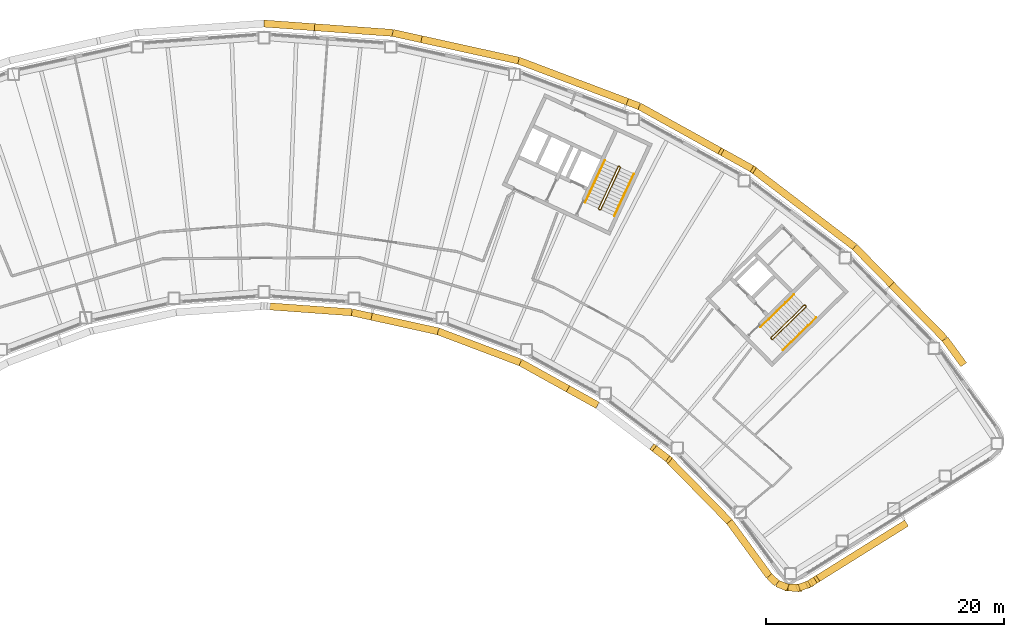
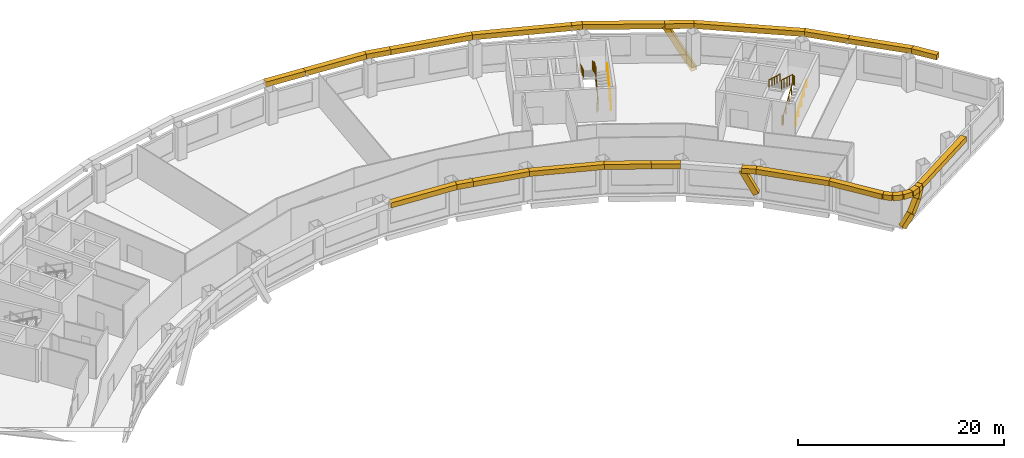
# One storey, part 12 of 13: 32 coverings, 6 railings.
"""IFC4 building model written with IfcOpenShell, lengths in metres."""

from ifc_helpers import new_model, si_unit, direction, frame, origin, origin_2d, place, context, subcontext, project, spatial, rectangle, circle, extrude, material, material_profile, profile_set, type_object, element, save


model = new_model("IFC4")

# Units and contexts
model_context = context("Model", 3, precision=1e-05, world=origin(), true_north=direction((0.0, 1.0)))
body_context = subcontext(model_context, "Body", "Model", "MODEL_VIEW")
ifc_project = project(units=[si_unit("LENGTHUNIT", "METRE"), si_unit("AREAUNIT", "SQUARE_METRE"), si_unit("VOLUMEUNIT", "CUBIC_METRE"), si_unit("PLANEANGLEUNIT", "RADIAN"), si_unit("MASSUNIT", "GRAM", prefix="KILO")], contexts=[model_context])

# Site, building, storey
site_placement = place(None, origin())
site = spatial("IfcSite", under=ifc_project, at=site_placement, CompositionType="ELEMENT")
building_placement = place(site_placement, origin())
building = spatial("IfcBuilding", under=site, at=building_placement, Name="Tuul Gate Civic Tower", CompositionType="ELEMENT")
storey_placement = place(building_placement, frame((0.0, 0.0, 150.800048828125)))
storey = spatial("IfcBuildingStorey", under=building, at=storey_placement, Name="Level 34", CompositionType="ELEMENT", Elevation=150.800048828125)

# Railings
ifc_material_1 = material(Name="Painted steel", Category="steel")
railing_type_1 = type_object("IfcRailingType", Name="Stair guard", PredefinedType="GUARDRAIL", material=ifc_material_1)
railing_1_placement = place(storey_placement, frame((48.10546875, -16.134765625, 0.0)))
element("IfcRailing", 1, at=railing_1_placement, inside=storey, type_object=railing_type_1, Name="Level 34 ST-3 stair guard 1", PredefinedType="GUARDRAIL", context=body_context, shape_type="SweptSolid", body=[
    extrude(circle(Radius=0.02392578125, at=origin_2d()), frame((0.0, 0.0, 1.076171875), z_axis=(-0.698506948293, 0.715603272202, 0.0), x_axis=(-0.715603272202, -0.698506948293, 0.0)), (0.0, 0.0, 1.0), 0.099853515625),
    extrude(circle(Radius=0.02392578125, at=origin_2d()), frame((-0.06982421875, 0.071533203125, 1.076171875), z_axis=(0.645446321009, -0.331687692741, 0.688027849131), x_axis=(0.457068866502, 0.889431307788, 0.0)), (0.0, 0.0, 1.0), 0.2177734375),
    extrude(circle(Radius=0.02392578125, at=origin_2d()), frame((0.07080078125, -0.000732421875, 1.22607421875), z_axis=(0.638731261263, 0.626133563701, 0.447190268558), x_axis=(-0.700029477518, 0.714113947914, 0.0)), (0.0, 0.0, 1.0), 4.3603515625),
    extrude(circle(Radius=0.02392578125, at=origin_2d()), frame((2.85595703125, 2.7294921875, 3.17578125), z_axis=(0.010380063588, 0.999946125689, 0.0), x_axis=(-0.999946125689, 0.010380063588, 0.0)), (0.0, 0.0, 1.0), 0.070556640625),
    extrude(circle(Radius=0.02392578125, at=origin_2d()), frame((2.856689453125, 2.800048828125, 3.17578125), z_axis=(-0.699754442181, 0.714383454909, 0.0), x_axis=(-0.714383454909, -0.699754442181, 0.0)), (0.0, 0.0, 1.0), 0.10009765625),
    extrude(circle(Radius=0.02392578125, at=origin_2d()), frame((2.78662109375, 2.87158203125, 3.17578125), z_axis=(-0.426501027327, 0.004412079593, 0.904476316574), x_axis=(-0.010344274102, -0.999946496565, 0.0)), (0.0, 0.0, 1.0), 0.166015625),
    extrude(circle(Radius=0.02392578125, at=origin_2d()), frame((2.7158203125, 2.872314453125, 3.326171875), z_axis=(-0.638731261263, -0.626133563701, 0.447190268558), x_axis=(0.700029477518, -0.714113947914, 0.0)), (0.0, 0.0, 1.0), 4.3603515625),
    extrude(circle(Radius=0.02099609375, at=origin_2d()), origin(), (0.0, 0.0, 1.0), 1.052001953125),
    extrude(circle(Radius=0.02099609375, at=origin_2d()), frame((-0.06982421875, 0.071533203125, 0.0)), (0.0, 0.0, 1.0), 1.052001953125),
    extrude(circle(Radius=0.02099609375, at=origin_2d()), frame((0.07080078125, -0.000732421875, 0.14990234375)), (0.0, 0.0, 1.0), 1.052001953125),
    extrude(circle(Radius=0.02099609375, at=origin_2d()), frame((0.76708984375, 0.681884765625, 0.637451171875)), (0.0, 0.0, 1.0), 1.052001953125),
    extrude(circle(Radius=0.02099609375, at=origin_2d()), frame((1.46337890625, 1.3642578125, 1.125)), (0.0, 0.0, 1.0), 1.052001953125),
    extrude(circle(Radius=0.02099609375, at=origin_2d()), frame((2.15966796875, 2.046875, 1.6123046875)), (0.0, 0.0, 1.0), 1.052001953125),
    extrude(circle(Radius=0.02099609375, at=origin_2d()), frame((2.85595703125, 2.7294921875, 2.099853515625)), (0.0, 0.0, 1.0), 1.052001953125),
    extrude(circle(Radius=0.02099609375, at=origin_2d()), frame((2.856689453125, 2.800048828125, 2.099853515625)), (0.0, 0.0, 1.0), 1.052001953125),
    extrude(circle(Radius=0.02099609375, at=origin_2d()), frame((2.78662109375, 2.87158203125, 2.099853515625)), (0.0, 0.0, 1.0), 1.052001953125),
    extrude(circle(Radius=0.02099609375, at=origin_2d()), frame((2.7158203125, 2.872314453125, 2.25)), (0.0, 0.0, 1.0), 1.052001953125),
    extrude(circle(Radius=0.02099609375, at=origin_2d()), frame((2.01953125, 2.189697265625, 2.737548828125)), (0.0, 0.0, 1.0), 1.052001953125),
    extrude(circle(Radius=0.02099609375, at=origin_2d()), frame((1.3232421875, 1.50732421875, 3.22509765625)), (0.0, 0.0, 1.0), 1.052001953125),
    extrude(circle(Radius=0.02099609375, at=origin_2d()), frame((0.626953125, 0.82470703125, 3.71240234375)), (0.0, 0.0, 1.0), 1.052001953125),
    extrude(circle(Radius=0.02099609375, at=origin_2d()), frame((-0.0693359375, 0.14208984375, 4.199951171875)), (0.0, 0.0, 1.0), 1.052001953125),
])
railing_2_placement = place(storey_placement, frame((33.645751953125, -5.238525390625, 0.0)))
element("IfcRailing", 2, at=railing_2_placement, inside=storey, type_object=railing_type_1, Name="Level 34 ST-4 stair guard 1", PredefinedType="GUARDRAIL", context=body_context, shape_type="SweptSolid", body=[
    extrude(circle(Radius=0.02392578125, at=origin_2d()), frame((0.0, 0.0, 1.076171875), z_axis=(-0.906307919131, 0.422617978463, 0.0), x_axis=(-0.422617978463, -0.906307919131, 0.0)), (0.0, 0.0, 1.0), 0.099853515625),
    extrude(circle(Radius=0.02392578125, at=origin_2d()), frame((-0.090576171875, 0.042236328125, 1.076171875), z_axis=(0.720735628292, -0.082946246491, 0.688229666829), x_axis=(0.114330889033, 0.993442724979, 0.0)), (0.0, 0.0, 1.0), 0.2177734375),
    extrude(circle(Radius=0.02392578125, at=origin_2d()), frame((0.06640625, 0.024169921875, 1.22607421875), z_axis=(0.377946903738, 0.810654114417, 0.447209173356), x_axis=(-0.906336612539, 0.422556439746, 0.0)), (0.0, 0.0, 1.0), 4.3603515625),
    extrude(circle(Radius=0.02392578125, at=origin_2d()), frame((1.71435546875, 3.558837890625, 3.17578125), z_axis=(-0.342020437038, 0.939692513883, 0.0), x_axis=(-0.939692513883, -0.342020437038, 0.0)), (0.0, 0.0, 1.0), 0.070556640625),
    extrude(circle(Radius=0.02392578125, at=origin_2d()), frame((1.690185546875, 3.625244140625, 3.17578125), z_axis=(-0.906307919131, 0.422617978463, 0.0), x_axis=(-0.422617978463, -0.906307919131, 0.0)), (0.0, 0.0, 1.0), 0.099853515625),
    extrude(circle(Radius=0.02392578125, at=origin_2d()), frame((1.599609375, 3.66748046875, 3.17578125), z_axis=(-0.400168791901, -0.145649670582, 0.904793408159), x_axis=(0.342020437038, -0.939692513883, 0.0)), (0.0, 0.0, 1.0), 0.166015625),
    extrude(circle(Radius=0.02392578125, at=origin_2d()), frame((1.533203125, 3.643310546875, 3.326171875), z_axis=(-0.377946903738, -0.810654114417, 0.447209173356), x_axis=(0.906336612539, -0.422556439746, 0.0)), (0.0, 0.0, 1.0), 4.3603515625),
    extrude(circle(Radius=0.02099609375, at=origin_2d()), origin(), (0.0, 0.0, 1.0), 1.052001953125),
    extrude(circle(Radius=0.02099609375, at=origin_2d()), frame((-0.090576171875, 0.042236328125, 0.0)), (0.0, 0.0, 1.0), 1.052001953125),
    extrude(circle(Radius=0.02099609375, at=origin_2d()), frame((0.06640625, 0.024169921875, 0.14990234375)), (0.0, 0.0, 1.0), 1.052001953125),
    extrude(circle(Radius=0.02099609375, at=origin_2d()), frame((0.478515625, 0.90771484375, 0.637451171875)), (0.0, 0.0, 1.0), 1.052001953125),
    extrude(circle(Radius=0.02099609375, at=origin_2d()), frame((0.890380859375, 1.79150390625, 1.125)), (0.0, 0.0, 1.0), 1.052001953125),
    extrude(circle(Radius=0.02099609375, at=origin_2d()), frame((1.30224609375, 2.67529296875, 1.6123046875)), (0.0, 0.0, 1.0), 1.052001953125),
    extrude(circle(Radius=0.02099609375, at=origin_2d()), frame((1.71435546875, 3.558837890625, 2.099853515625)), (0.0, 0.0, 1.0), 1.052001953125),
    extrude(circle(Radius=0.02099609375, at=origin_2d()), frame((1.690185546875, 3.625244140625, 2.099853515625)), (0.0, 0.0, 1.0), 1.052001953125),
    extrude(circle(Radius=0.02099609375, at=origin_2d()), frame((1.599609375, 3.66748046875, 2.099853515625)), (0.0, 0.0, 1.0), 1.052001953125),
    extrude(circle(Radius=0.02099609375, at=origin_2d()), frame((1.533203125, 3.643310546875, 2.25)), (0.0, 0.0, 1.0), 1.052001953125),
    extrude(circle(Radius=0.02099609375, at=origin_2d()), frame((1.12109375, 2.759765625, 2.737548828125)), (0.0, 0.0, 1.0), 1.052001953125),
    extrude(circle(Radius=0.02099609375, at=origin_2d()), frame((0.709228515625, 1.8759765625, 3.22509765625)), (0.0, 0.0, 1.0), 1.052001953125),
    extrude(circle(Radius=0.02099609375, at=origin_2d()), frame((0.29736328125, 0.9921875, 3.71240234375)), (0.0, 0.0, 1.0), 1.052001953125),
    extrude(circle(Radius=0.02099609375, at=origin_2d()), frame((-0.11474609375, 0.108642578125, 4.199951171875)), (0.0, 0.0, 1.0), 1.052001953125),
])
ifc_material_2 = material(Name="Painted steel", Category="steel")
railing_type_2 = type_object("IfcRailingType", Name="Stair handrail", PredefinedType="HANDRAIL", material=ifc_material_2)
railing_3_placement = place(storey_placement, frame((49.05126953125, -17.028076171875, 0.14990234375)))
element("IfcRailing", 3, at=railing_3_placement, inside=storey, type_object=railing_type_2, Name="Level 34 ST-3 stair handrail 1", PredefinedType="HANDRAIL", context=body_context, shape_type="SweptSolid", body=[
    extrude(circle(Radius=0.02392578125, at=origin_2d()), frame((0.0, 0.0, 0.8759765625), z_axis=(0.638753653487, 0.626099522554, 0.447205945863), x_axis=(-0.699997553204, 0.714145241186, 0.0)), (0.0, 0.0, 1.0), 4.3603515625),
    extrude(circle(Radius=0.02099609375, at=origin_2d()), origin(), (0.0, 0.0, 1.0), 0.851806640625),
    extrude(circle(Radius=0.02099609375, at=origin_2d()), frame((0.6962890625, 0.6826171875, 0.487548828125)), (0.0, 0.0, 1.0), 0.851806640625),
    extrude(circle(Radius=0.02099609375, at=origin_2d()), frame((1.392578125, 1.364990234375, 0.97509765625)), (0.0, 0.0, 1.0), 0.851806640625),
    extrude(circle(Radius=0.02099609375, at=origin_2d()), frame((2.0888671875, 2.04736328125, 1.46240234375)), (0.0, 0.0, 1.0), 0.851806640625),
    extrude(circle(Radius=0.02099609375, at=origin_2d()), frame((2.78515625, 2.72998046875, 1.949951171875)), (0.0, 0.0, 1.0), 0.851806640625),
])
railing_4_placement = place(storey_placement, frame((49.9462890625, -12.369873046875, 2.25)))
element("IfcRailing", 4, at=railing_4_placement, inside=storey, type_object=railing_type_2, Name="Level 34 ST-3 stair handrail 2", PredefinedType="HANDRAIL", context=body_context, shape_type="SweptSolid", body=[
    extrude(circle(Radius=0.02392578125, at=origin_2d()), frame((0.0, 0.0, 0.8759765625), z_axis=(-0.638753653487, -0.626099522554, 0.447205945863), x_axis=(0.699997553204, -0.714145241186, 0.0)), (0.0, 0.0, 1.0), 4.3603515625),
    extrude(circle(Radius=0.02099609375, at=origin_2d()), origin(), (0.0, 0.0, 1.0), 0.851806640625),
    extrude(circle(Radius=0.02099609375, at=origin_2d()), frame((-0.6962890625, -0.6826171875, 0.487548828125)), (0.0, 0.0, 1.0), 0.851806640625),
    extrude(circle(Radius=0.02099609375, at=origin_2d()), frame((-1.392578125, -1.364990234375, 0.97509765625)), (0.0, 0.0, 1.0), 0.851806640625),
    extrude(circle(Radius=0.02099609375, at=origin_2d()), frame((-2.0888671875, -2.04736328125, 1.46240234375)), (0.0, 0.0, 1.0), 0.851806640625),
    extrude(circle(Radius=0.02099609375, at=origin_2d()), frame((-2.78515625, -2.72998046875, 1.949951171875)), (0.0, 0.0, 1.0), 0.851806640625),
])
railing_5_placement = place(storey_placement, frame((34.844970703125, -5.74267578125, 0.14990234375)))
element("IfcRailing", 5, at=railing_5_placement, inside=storey, type_object=railing_type_2, Name="Level 34 ST-4 stair handrail 1", PredefinedType="HANDRAIL", context=body_context, shape_type="SweptSolid", body=[
    extrude(circle(Radius=0.02392578125, at=origin_2d()), frame((0.0, 0.0, 0.8759765625), z_axis=(0.377994896215, 0.810636958585, 0.447199709091), x_axis=(-0.906312636903, 0.422607861012, 0.0)), (0.0, 0.0, 1.0), 4.3603515625),
    extrude(circle(Radius=0.02099609375, at=origin_2d()), origin(), (0.0, 0.0, 1.0), 0.851806640625),
    extrude(circle(Radius=0.02099609375, at=origin_2d()), frame((0.412109375, 0.8837890625, 0.487548828125)), (0.0, 0.0, 1.0), 0.851806640625),
    extrude(circle(Radius=0.02099609375, at=origin_2d()), frame((0.82421875, 1.767333984375, 0.97509765625)), (0.0, 0.0, 1.0), 0.851806640625),
    extrude(circle(Radius=0.02099609375, at=origin_2d()), frame((1.236083984375, 2.65087890625, 1.46240234375)), (0.0, 0.0, 1.0), 0.851806640625),
    extrude(circle(Radius=0.02099609375, at=origin_2d()), frame((1.648193359375, 3.53466796875, 1.949951171875)), (0.0, 0.0, 1.0), 0.851806640625),
])
railing_6_placement = place(storey_placement, frame((34.046142578125, -1.06689453125, 2.25)))
element("IfcRailing", 6, at=railing_6_placement, inside=storey, type_object=railing_type_2, Name="Level 34 ST-4 stair handrail 2", PredefinedType="HANDRAIL", context=body_context, shape_type="SweptSolid", body=[
    extrude(circle(Radius=0.02392578125, at=origin_2d()), frame((0.0, 0.0, 0.8759765625), z_axis=(-0.377994896215, -0.810636958585, 0.447199709091), x_axis=(0.906312636903, -0.422607861012, 0.0)), (0.0, 0.0, 1.0), 4.3603515625),
    extrude(circle(Radius=0.02099609375, at=origin_2d()), origin(), (0.0, 0.0, 1.0), 0.851806640625),
    extrude(circle(Radius=0.02099609375, at=origin_2d()), frame((-0.412109375, -0.8837890625, 0.487548828125)), (0.0, 0.0, 1.0), 0.851806640625),
    extrude(circle(Radius=0.02099609375, at=origin_2d()), frame((-0.82421875, -1.767333984375, 0.97509765625)), (0.0, 0.0, 1.0), 0.851806640625),
    extrude(circle(Radius=0.02099609375, at=origin_2d()), frame((-1.236083984375, -2.65087890625, 1.46240234375)), (0.0, 0.0, 1.0), 0.851806640625),
    extrude(circle(Radius=0.02099609375, at=origin_2d()), frame((-1.648193359375, -3.53466796875, 1.949951171875)), (0.0, 0.0, 1.0), 0.851806640625),
])

# Coverings
ifc_material_3 = material(Name="Terracotta baguette", Category="masonry")
ifc_material_profile = material_profile(ifc_material_3, rectangle(XDim=0.60009765625, YDim=0.60009765625, at=origin_2d()), Name="Terracotta baguette screen frame")
ifc_profile_set = profile_set([ifc_material_profile], Name="Terracotta baguette")
covering_type = type_object("IfcCoveringType", Name="Terracotta baguette screen frame", PredefinedType="CLADDING", material=ifc_profile_set)
covering_1_placement = place(storey_placement, frame((64.24462890625, -18.270751953125, 3.849853515625), z_axis=(-0.58975169847, 0.807584629715, 0.0), x_axis=(-0.807584629715, -0.58975169847, 0.0)))
element("IfcCovering", 7, at=covering_1_placement, inside=storey, type_object=covering_type, Name="Baguette 23", PredefinedType="CLADDING", context=body_context, shape_type="SweptSolid", body=[
    extrude(rectangle(XDim=0.60009765625, YDim=0.60009765625, at=origin_2d()), origin(), (0.0, 0.0, 1.0), 2.680908203125),
])
covering_2_placement = place(storey_placement, frame((62.66357421875, -16.105712890625, 3.849853515625), z_axis=(-0.700039399016, 0.714104221963, 0.0), x_axis=(-0.714104221963, -0.700039399016, 0.0)))
element("IfcCovering", 8, at=covering_2_placement, inside=storey, type_object=covering_type, Name="Baguette 24", PredefinedType="CLADDING", context=body_context, shape_type="SweptSolid", body=[
    extrude(rectangle(XDim=0.60009765625, YDim=0.60009765625, at=origin_2d()), origin(), (0.0, 0.0, 1.0), 6.4052734375),
])
covering_3_placement = place(storey_placement, frame((46.43408203125, -1.783447265625, -1.423828125), z_axis=(-0.415603488122, 0.2303884474, 0.879883460445), x_axis=(-0.484834849005, -0.874605722135, 0.0)))
element("IfcCovering", 9, at=covering_3_placement, inside=storey, type_object=covering_type, Name="Baguette 40", PredefinedType="CLADDING", context=body_context, shape_type="SweptSolid", body=[
    extrude(rectangle(XDim=0.60009765625, YDim=0.60009765625, at=origin_2d()), origin(), (0.0, 0.0, 1.0), 5.99365234375),
])
covering_4_placement = place(storey_placement, frame((43.943115234375, -0.402587890625, 3.849853515625), z_axis=(-0.874634570388, 0.484782805267, 0.0), x_axis=(-0.484782805267, -0.874634570388, 0.0)))
element("IfcCovering", 10, at=covering_4_placement, inside=storey, type_object=covering_type, Name="Baguette 47", PredefinedType="CLADDING", context=body_context, shape_type="SweptSolid", body=[
    extrude(rectangle(XDim=0.60009765625, YDim=0.60009765625, at=origin_2d()), origin(), (0.0, 0.0, 1.0), 8.00341796875),
])
covering_5_placement = place(storey_placement, frame((36.943115234375, 3.477294921875, 3.849853515625), z_axis=(-0.935349569551, 0.353724727352, 0.0), x_axis=(-0.353724727352, -0.935349569551, 0.0)))
element("IfcCovering", 11, at=covering_5_placement, inside=storey, type_object=covering_type, Name="Baguette 48", PredefinedType="CLADDING", context=body_context, shape_type="SweptSolid", body=[
    extrude(rectangle(XDim=0.60009765625, YDim=0.60009765625, at=origin_2d()), origin(), (0.0, 0.0, 1.0), 1.069091796875),
])
covering_6_placement = place(storey_placement, frame((18.626708984375, 9.115478515625, 3.849853515625), z_axis=(-0.976564116236, 0.215226687194, 0.0), x_axis=(-0.215226687194, -0.976564116236, 0.0)))
element("IfcCovering", 12, at=covering_6_placement, inside=storey, type_object=covering_type, Name="Baguette 65", PredefinedType="CLADDING", context=body_context, shape_type="SweptSolid", body=[
    extrude(rectangle(XDim=0.60009765625, YDim=0.60009765625, at=origin_2d()), origin(), (0.0, 0.0, 1.0), 2.48876953125),
])
covering_7_placement = place(storey_placement, frame((16.1962890625, 9.651123046875, 3.849853515625), z_axis=(-0.997387623225, 0.072235234043, 0.0), x_axis=(-0.072235234043, -0.997387623225, 0.0)))
element("IfcCovering", 13, at=covering_7_placement, inside=storey, type_object=covering_type, Name="Baguette 66", PredefinedType="CLADDING", context=body_context, shape_type="SweptSolid", body=[
    extrude(rectangle(XDim=0.60009765625, YDim=0.60009765625, at=origin_2d()), origin(), (0.0, 0.0, 1.0), 6.583740234375),
])
covering_8_placement = place(storey_placement, frame((5.635986328125, -13.345947265625, 3.849853515625), z_axis=(0.997385437558, -0.072265406293, 0.0), x_axis=(0.072265406293, 0.997385437558, 0.0)))
element("IfcCovering", 14, at=covering_8_placement, inside=storey, type_object=covering_type, Name="Baguette 222", PredefinedType="CLADDING", context=body_context, shape_type="SweptSolid", body=[
    extrude(rectangle(XDim=0.60009765625, YDim=0.60009765625, at=origin_2d()), origin(), (0.0, 0.0, 1.0), 7.155517578125),
])
covering_9_placement = place(storey_placement, frame((12.772705078125, -13.863037109375, 3.849853515625), z_axis=(0.976558033937, -0.215254283007, 0.0), x_axis=(0.215254283007, 0.976558033937, 0.0)))
element("IfcCovering", 15, at=covering_9_placement, inside=storey, type_object=covering_type, Name="Baguette 223", PredefinedType="CLADDING", context=body_context, shape_type="SweptSolid", body=[
    extrude(rectangle(XDim=0.60009765625, YDim=0.60009765625, at=origin_2d()), origin(), (0.0, 0.0, 1.0), 1.69677734375),
])
covering_10_placement = place(storey_placement, frame((30.947509765625, -20.29638671875, 3.849853515625), z_axis=(0.874604932638, -0.484836273195, 0.0), x_axis=(0.484836273195, 0.874604932638, 0.0)))
element("IfcCovering", 16, at=covering_10_placement, inside=storey, type_object=covering_type, Name="Baguette 242", PredefinedType="CLADDING", context=body_context, shape_type="SweptSolid", body=[
    extrude(rectangle(XDim=0.60009765625, YDim=0.60009765625, at=origin_2d()), origin(), (0.0, 0.0, 1.0), 2.85302734375),
])
covering_11_placement = place(storey_placement, frame((38.215576171875, -25.314208984375, 3.849853515625), z_axis=(0.370882914381, -0.282413222651, -0.884696917307), x_axis=(0.605820279821, 0.795601526241, 0.0)))
element("IfcCovering", 17, at=covering_11_placement, inside=storey, type_object=covering_type, Name="Baguette 246", PredefinedType="CLADDING", context=body_context, shape_type="SweptSolid", body=[
    extrude(rectangle(XDim=0.60009765625, YDim=0.60009765625, at=origin_2d()), origin(), (0.0, 0.0, 1.0), 3.0439453125),
])
covering_12_placement = place(storey_placement, frame((49.44580078125, -37.026611328125, 0.177978515625), z_axis=(0.602487853654, -0.001663078141, 0.798126318555), x_axis=(0.002760340801, 0.999996190252, 0.0)))
element("IfcCovering", 18, at=covering_12_placement, inside=storey, type_object=covering_type, Name="Baguette 267", PredefinedType="CLADDING", context=body_context, shape_type="SweptSolid", body=[
    extrude(rectangle(XDim=0.60009765625, YDim=0.60009765625, at=origin_2d()), origin(), (0.0, 0.0, 1.0), 1.61474609375),
])
covering_13_placement = place(storey_placement, frame((50.418701171875, -37.029296875, 1.466796875), z_axis=(0.534206742162, 0.207876439336, 0.819396450198), x_axis=(-0.362642296801, 0.93192841172, 0.0)))
element("IfcCovering", 19, at=covering_13_placement, inside=storey, type_object=covering_type, Name="Baguette 268", PredefinedType="CLADDING", context=body_context, shape_type="SweptSolid", body=[
    extrude(rectangle(XDim=0.60009765625, YDim=0.60009765625, at=origin_2d()), origin(), (0.0, 0.0, 1.0), 1.572509765625),
])
covering_14_placement = place(storey_placement, frame((51.2587890625, -36.702392578125, 2.75537109375), z_axis=(0.402187670356, 0.251367293972, 0.880374670998), x_axis=(-0.529998940003, 0.847998304005, 0.0)))
element("IfcCovering", 20, at=covering_14_placement, inside=storey, type_object=covering_type, Name="Baguette 269", PredefinedType="CLADDING", context=body_context, shape_type="SweptSolid", body=[
    extrude(rectangle(XDim=0.60009765625, YDim=0.60009765625, at=origin_2d()), origin(), (0.0, 0.0, 1.0), 1.2431640625),
])
covering_15_placement = place(storey_placement, frame((51.7587890625, -36.389892578125, 3.849853515625), z_axis=(0.848039206863, 0.52993348981, 0.0), x_axis=(-0.52993348981, 0.848039206863, 0.0)))
element("IfcCovering", 21, at=covering_15_placement, inside=storey, type_object=covering_type, Name="Baguette 283", PredefinedType="CLADDING", context=body_context, shape_type="SweptSolid", body=[
    extrude(rectangle(XDim=0.60009765625, YDim=0.60009765625, at=origin_2d()), origin(), (0.0, 0.0, 1.0), 9.05322265625),
])
covering_16_placement = place(storey_placement, frame((58.1796875, -11.53173828125, 3.849853515625), z_axis=(-0.700042309404, 0.714101368885, 0.0), x_axis=(-0.714101368885, -0.700042309404, 0.0)))
element("IfcCovering", 22, at=covering_16_placement, inside=storey, type_object=covering_type, Name="Baguette 288", PredefinedType="CLADDING", context=body_context, shape_type="SweptSolid", body=[
    extrude(rectangle(XDim=0.60009765625, YDim=0.60009765625, at=origin_2d()), origin(), (0.0, 0.0, 1.0), 4.445556640625),
])
covering_17_placement = place(storey_placement, frame((55.067626953125, -8.357177734375, 3.849853515625), z_axis=(-0.795618643442, 0.605797799771, 0.0), x_axis=(-0.605797799771, -0.795618643442, 0.0)))
element("IfcCovering", 23, at=covering_17_placement, inside=storey, type_object=covering_type, Name="Baguette 289", PredefinedType="CLADDING", context=body_context, shape_type="SweptSolid", body=[
    extrude(rectangle(XDim=0.60009765625, YDim=0.60009765625, at=origin_2d()), origin(), (0.0, 0.0, 1.0), 10.851318359375),
])
covering_18_placement = place(storey_placement, frame((46.43408203125, -1.783447265625, 3.849853515625), z_axis=(-0.874605722135, 0.484834849005, 0.0), x_axis=(-0.484834849005, -0.874605722135, 0.0)))
element("IfcCovering", 24, at=covering_18_placement, inside=storey, type_object=covering_type, Name="Baguette 290", PredefinedType="CLADDING", context=body_context, shape_type="SweptSolid", body=[
    extrude(rectangle(XDim=0.60009765625, YDim=0.60009765625, at=origin_2d()), origin(), (0.0, 0.0, 1.0), 2.84814453125),
])
covering_19_placement = place(storey_placement, frame((35.943115234375, 3.85546875, 3.849853515625), z_axis=(-0.935348087792, 0.353728645523, 0.0), x_axis=(-0.353728645523, -0.935348087792, 0.0)))
element("IfcCovering", 25, at=covering_19_placement, inside=storey, type_object=covering_type, Name="Baguette 297", PredefinedType="CLADDING", context=body_context, shape_type="SweptSolid", body=[
    extrude(rectangle(XDim=0.60009765625, YDim=0.60009765625, at=origin_2d()), origin(), (0.0, 0.0, 1.0), 9.781982421875),
])
covering_20_placement = place(storey_placement, frame((26.79345703125, 7.315673828125, 3.849853515625), z_axis=(-0.976566109565, 0.215217642513, 0.0), x_axis=(-0.215217642513, -0.976566109565, 0.0)))
element("IfcCovering", 26, at=covering_20_placement, inside=storey, type_object=covering_type, Name="Baguette 298", PredefinedType="CLADDING", context=body_context, shape_type="SweptSolid", body=[
    extrude(rectangle(XDim=0.60009765625, YDim=0.60009765625, at=origin_2d()), origin(), (0.0, 0.0, 1.0), 8.36279296875),
])
covering_21_placement = place(storey_placement, frame((9.629638671875, 10.126708984375, 3.849853515625), z_axis=(-0.997385274181, 0.072267661138, 0.0), x_axis=(-0.072267661138, -0.997385274181, 0.0)))
element("IfcCovering", 27, at=covering_21_placement, inside=storey, type_object=covering_type, Name="Baguette 305", PredefinedType="CLADDING", context=body_context, shape_type="SweptSolid", body=[
    extrude(rectangle(XDim=0.60009765625, YDim=0.60009765625, at=origin_2d()), origin(), (0.0, 0.0, 1.0), 4.266845703125),
])
covering_22_placement = place(storey_placement, frame((14.4296875, -14.228271484375, 3.849853515625), z_axis=(0.97655913888, -0.21524927008, 0.0), x_axis=(0.21524927008, 0.97655913888, 0.0)))
element("IfcCovering", 28, at=covering_22_placement, inside=storey, type_object=covering_type, Name="Baguette 361", PredefinedType="CLADDING", context=body_context, shape_type="SweptSolid", body=[
    extrude(rectangle(XDim=0.60009765625, YDim=0.60009765625, at=origin_2d()), origin(), (0.0, 0.0, 1.0), 5.720947265625),
])
covering_23_placement = place(storey_placement, frame((20.0166015625, -15.459716796875, 3.849853515625), z_axis=(0.935363965038, -0.353686659217, 0.0), x_axis=(0.353686659217, 0.935363965038, 0.0)))
element("IfcCovering", 29, at=covering_23_placement, inside=storey, type_object=covering_type, Name="Baguette 362", PredefinedType="CLADDING", context=body_context, shape_type="SweptSolid", body=[
    extrude(rectangle(XDim=0.60009765625, YDim=0.60009765625, at=origin_2d()), origin(), (0.0, 0.0, 1.0), 7.417724609375),
])
covering_24_placement = place(storey_placement, frame((26.954833984375, -18.083251953125, 3.849853515625), z_axis=(0.874623567378, -0.484802656126, 0.0), x_axis=(0.484802656126, 0.874623567378, 0.0)))
element("IfcCovering", 30, at=covering_24_placement, inside=storey, type_object=covering_type, Name="Baguette 363", PredefinedType="CLADDING", context=body_context, shape_type="SweptSolid", body=[
    extrude(rectangle(XDim=0.60009765625, YDim=0.60009765625, at=origin_2d()), origin(), (0.0, 0.0, 1.0), 4.56494140625),
])
covering_25_placement = place(storey_placement, frame((38.215576171875, -25.314208984375, 3.849853515625), z_axis=(0.795601526241, -0.605820279821, 0.0), x_axis=(0.605820279821, 0.795601526241, 0.0)))
element("IfcCovering", 31, at=covering_25_placement, inside=storey, type_object=covering_type, Name="Baguette 367", PredefinedType="CLADDING", context=body_context, shape_type="SweptSolid", body=[
    extrude(rectangle(XDim=0.60009765625, YDim=0.60009765625, at=origin_2d()), origin(), (0.0, 0.0, 1.0), 1.4189453125),
])
covering_26_placement = place(storey_placement, frame((39.344482421875, -26.173828125, 3.849853515625), z_axis=(0.700028633045, -0.714114775731, 0.0), x_axis=(0.714114775731, 0.700028633045, 0.0)))
element("IfcCovering", 32, at=covering_26_placement, inside=storey, type_object=covering_type, Name="Baguette 368", PredefinedType="CLADDING", context=body_context, shape_type="SweptSolid", body=[
    extrude(rectangle(XDim=0.60009765625, YDim=0.60009765625, at=origin_2d()), origin(), (0.0, 0.0, 1.0), 7.41796875),
])
covering_27_placement = place(storey_placement, frame((44.537353515625, -31.47119140625, 3.849853515625), z_axis=(0.589729447422, -0.807600878432, 0.0), x_axis=(0.807600878432, 0.589729447422, 0.0)))
element("IfcCovering", 33, at=covering_27_placement, inside=storey, type_object=covering_type, Name="Baguette 369", PredefinedType="CLADDING", context=body_context, shape_type="SweptSolid", body=[
    extrude(rectangle(XDim=0.60009765625, YDim=0.60009765625, at=origin_2d()), origin(), (0.0, 0.0, 1.0), 5.671142578125),
])
covering_28_placement = place(storey_placement, frame((47.8818359375, -36.05126953125, 3.849853515625), z_axis=(0.730001285686, -0.683445771731, 0.0), x_axis=(0.683445771731, 0.730001285686, 0.0)))
element("IfcCovering", 34, at=covering_28_placement, inside=storey, type_object=covering_type, Name="Baguette 370", PredefinedType="CLADDING", context=body_context, shape_type="SweptSolid", body=[
    extrude(rectangle(XDim=0.60009765625, YDim=0.60009765625, at=origin_2d()), origin(), (0.0, 0.0, 1.0), 0.902099609375),
])
covering_29_placement = place(storey_placement, frame((48.540283203125, -36.667724609375, 3.849853515625), z_axis=(0.929647485715, -0.36845020329, 0.0), x_axis=(0.36845020329, 0.929647485715, 0.0)))
element("IfcCovering", 35, at=covering_29_placement, inside=storey, type_object=covering_type, Name="Baguette 371", PredefinedType="CLADDING", context=body_context, shape_type="SweptSolid", body=[
    extrude(rectangle(XDim=0.60009765625, YDim=0.60009765625, at=origin_2d()), origin(), (0.0, 0.0, 1.0), 0.97412109375),
])
covering_30_placement = place(storey_placement, frame((49.44580078125, -37.026611328125, 3.849853515625), z_axis=(0.999996190252, -0.002760340801, 0.0), x_axis=(0.002760340801, 0.999996190252, 0.0)))
element("IfcCovering", 36, at=covering_30_placement, inside=storey, type_object=covering_type, Name="Baguette 372", PredefinedType="CLADDING", context=body_context, shape_type="SweptSolid", body=[
    extrude(rectangle(XDim=0.60009765625, YDim=0.60009765625, at=origin_2d()), origin(), (0.0, 0.0, 1.0), 0.972900390625),
])
covering_31_placement = place(storey_placement, frame((50.418701171875, -37.029296875, 3.849853515625), z_axis=(0.93192841172, 0.362642296801, 0.0), x_axis=(-0.362642296801, 0.93192841172, 0.0)))
element("IfcCovering", 37, at=covering_31_placement, inside=storey, type_object=covering_type, Name="Baguette 373", PredefinedType="CLADDING", context=body_context, shape_type="SweptSolid", body=[
    extrude(rectangle(XDim=0.60009765625, YDim=0.60009765625, at=origin_2d()), origin(), (0.0, 0.0, 1.0), 0.9013671875),
])
covering_32_placement = place(storey_placement, frame((51.2587890625, -36.702392578125, 3.849853515625), z_axis=(0.847998304005, 0.529998940003, 0.0), x_axis=(-0.529998940003, 0.847998304005, 0.0)))
element("IfcCovering", 38, at=covering_32_placement, inside=storey, type_object=covering_type, Name="Baguette 374", PredefinedType="CLADDING", context=body_context, shape_type="SweptSolid", body=[
    extrude(rectangle(XDim=0.60009765625, YDim=0.60009765625, at=origin_2d()), origin(), (0.0, 0.0, 1.0), 0.589599609375),
])

save(model, "model.ifc")
